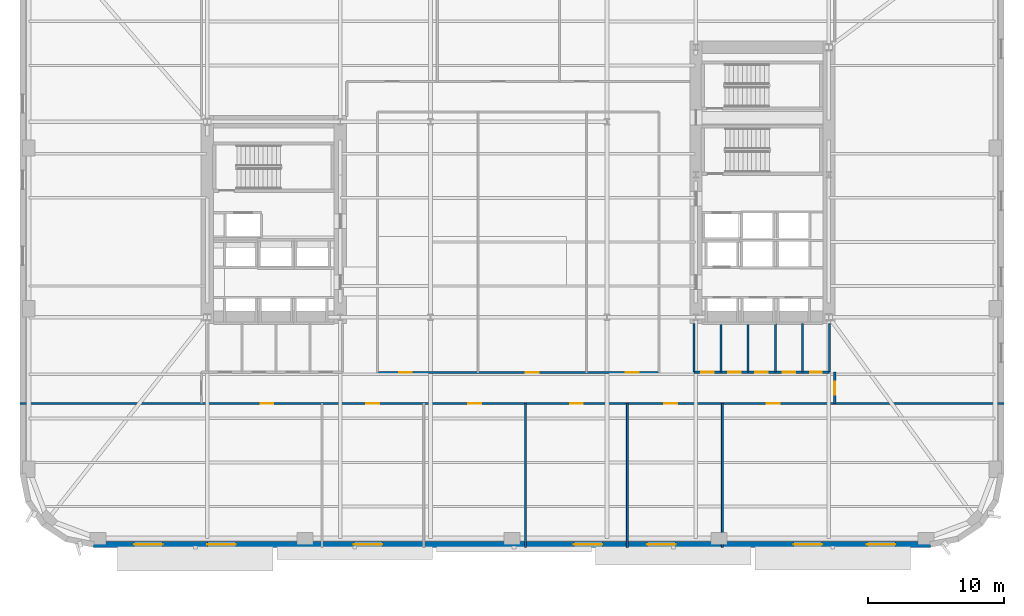
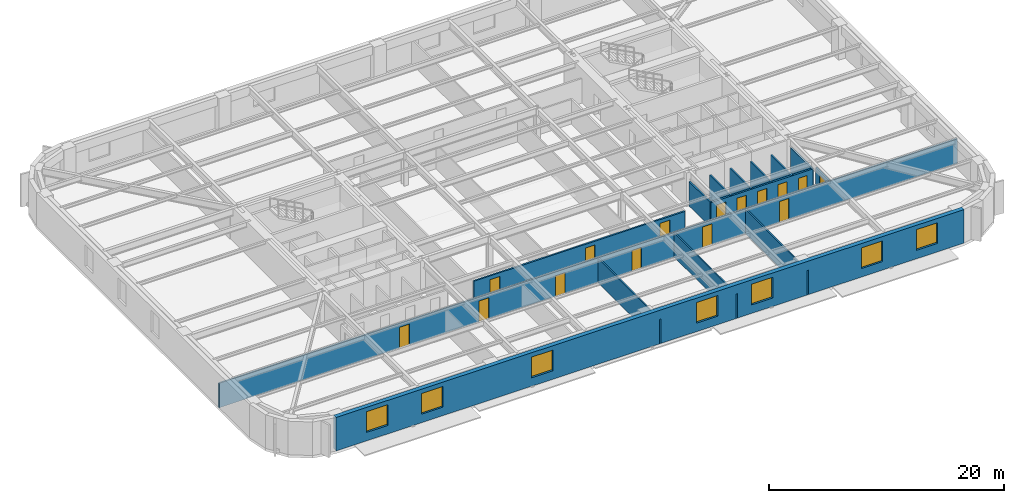
# One storey, part 5 of 15: 15 doors, 14 walls, 7 windows, 22 openings.
"""IFC4 building model written with IfcOpenShell, lengths in metres."""

from ifc_helpers import new_model, si_unit, direction, frame, frame_2d, origin, place, context, subcontext, project, spatial, rectangle, extrude, material, layer, layer_set, type_object, element, fill, save


model = new_model("IFC4")

# Units and contexts
model_context = context("Model", 3, precision=1e-05, world=origin(), true_north=direction((0.0, 1.0)))
body_context = subcontext(model_context, "Body", "Model", "MODEL_VIEW")
ifc_project = project(units=[si_unit("LENGTHUNIT", "METRE"), si_unit("AREAUNIT", "SQUARE_METRE"), si_unit("VOLUMEUNIT", "CUBIC_METRE"), si_unit("PLANEANGLEUNIT", "RADIAN"), si_unit("MASSUNIT", "GRAM", prefix="KILO")], contexts=[model_context])

# Site, building, storey
site_placement = place(None, origin())
site = spatial("IfcSite", under=ifc_project, at=site_placement, CompositionType="ELEMENT")
building_placement = place(site_placement, origin())
building = spatial("IfcBuilding", under=site, at=building_placement, Name="Kolvaren Arena Tower", CompositionType="ELEMENT")
storey_placement = place(building_placement, frame((0.0, 0.0, 72.0)))
storey = spatial("IfcBuildingStorey", under=building, at=storey_placement, Name="L15", CompositionType="ELEMENT", Elevation=72.0)

# Wall, openings, doors
ifc_material_1 = material(Name="Gypsum board acoustic assembly", Category="gypsum")
ifc_layer_1 = layer(ifc_material_1, 0.159912109375)
ifc_layer_set_1 = layer_set([ifc_layer_1], Name="Gypsum board acoustic assembly")
wall_type_1 = type_object("IfcWallType", Name="CORR-160", PredefinedType="PARTITIONING", material=ifc_layer_set_1)
wall_1_placement = place(storey_placement, frame((0.75, 13.10009765625, 0.0), z_axis=(0.0, 0.0, 1.0), x_axis=(1.0, 0.0, 0.0)))
wall_1 = element("IfcWall", 1, at=wall_1_placement, inside=storey, type_object=wall_type_1, Name="Interior Partition Wall (L15)", PredefinedType="PARTITIONING", context=body_context, shape_type="SweptSolid", body=[
    extrude(rectangle(XDim=72.5, YDim=0.159912109375, at=frame_2d((36.25, 0.0))), origin(), (0.0, 0.0, 1.0), 2.5400390625),
])
opening_1_placement = place(wall_1_placement, frame((17.72509765625, 0.0, 0.0)))
opening_1 = element("IfcOpeningElement", 2, at=opening_1_placement, cuts=wall_1, Name="Opening D05", PredefinedType="OPENING", context=body_context, shape_type="SweptSolid", body=[
    extrude(rectangle(XDim=0.949951171875, YDim=2.14990234375, at=frame_2d((0.47509765625, 1.074951171875))), frame((0.0, 0.08984375, 0.0), z_axis=(0.0, -1.0, 0.0), x_axis=(1.0, 0.0, 0.0)), (0.0, 0.0, 1.0), 0.179931640625),
])
opening_2_placement = place(wall_1_placement, frame((25.52490234375, 0.0, 0.0)))
opening_2 = element("IfcOpeningElement", 3, at=opening_2_placement, cuts=wall_1, Name="Opening D05", PredefinedType="OPENING", context=body_context, shape_type="SweptSolid", body=[
    extrude(rectangle(XDim=0.949951171875, YDim=2.14990234375, at=frame_2d((0.47509765625, 1.074951171875))), frame((0.0, 0.08984375, 0.0), z_axis=(0.0, -1.0, 0.0), x_axis=(1.0, 0.0, 0.0)), (0.0, 0.0, 1.0), 0.179931640625),
])
opening_3_placement = place(wall_1_placement, frame((33.02490234375, 0.0, 0.0)))
opening_3 = element("IfcOpeningElement", 4, at=opening_3_placement, cuts=wall_1, Name="Opening D05", PredefinedType="OPENING", context=body_context, shape_type="SweptSolid", body=[
    extrude(rectangle(XDim=0.949951171875, YDim=2.14990234375, at=frame_2d((0.47509765625, 1.074951171875))), frame((0.0, 0.08984375, 0.0), z_axis=(0.0, -1.0, 0.0), x_axis=(1.0, 0.0, 0.0)), (0.0, 0.0, 1.0), 0.179931640625),
])
opening_4_placement = place(wall_1_placement, frame((40.52490234375, 0.0, 0.0)))
opening_4 = element("IfcOpeningElement", 5, at=opening_4_placement, cuts=wall_1, Name="Opening D05", PredefinedType="OPENING", context=body_context, shape_type="SweptSolid", body=[
    extrude(rectangle(XDim=0.949951171875, YDim=2.14990234375, at=frame_2d((0.47509765625, 1.074951171875))), frame((0.0, 0.08984375, 0.0), z_axis=(0.0, -1.0, 0.0), x_axis=(1.0, 0.0, 0.0)), (0.0, 0.0, 1.0), 0.179931640625),
])
opening_5_placement = place(wall_1_placement, frame((47.47509765625, 0.0, 0.0)))
opening_5 = element("IfcOpeningElement", 6, at=opening_5_placement, cuts=wall_1, Name="Opening D05", PredefinedType="OPENING", context=body_context, shape_type="SweptSolid", body=[
    extrude(rectangle(XDim=0.949951171875, YDim=2.14990234375, at=frame_2d((0.47509765625, 1.074951171875))), frame((0.0, 0.08984375, 0.0), z_axis=(0.0, -1.0, 0.0), x_axis=(1.0, 0.0, 0.0)), (0.0, 0.0, 1.0), 0.179931640625),
])
opening_6_placement = place(wall_1_placement, frame((55.02490234375, 0.0, 0.0)))
opening_6 = element("IfcOpeningElement", 7, at=opening_6_placement, cuts=wall_1, Name="Opening D05", PredefinedType="OPENING", context=body_context, shape_type="SweptSolid", body=[
    extrude(rectangle(XDim=0.949951171875, YDim=2.14990234375, at=frame_2d((0.47509765625, 1.074951171875))), frame((0.0, 0.08984375, 0.0), z_axis=(0.0, -1.0, 0.0), x_axis=(1.0, 0.0, 0.0)), (0.0, 0.0, 1.0), 0.179931640625),
])
ifc_material_2 = material(Name="Solid-core oak acoustic office door", Category="wood")
door_type_1 = type_object("IfcDoorType", Name="DOOR-OF-095", OperationType="NOTDEFINED", PredefinedType="DOOR", material=ifc_material_2)
door_1_placement = place(opening_1_placement, origin())
door_1 = element("IfcDoor", 8, at=door_1_placement, inside=storey, type_object=door_type_1, Name="Design Studio Door (L15)", OperationType="SINGLE_SWING_LEFT", OverallHeight=2.14990234375, OverallWidth=0.949951171875, PredefinedType="DOOR", context=body_context, shape_type="SweptSolid", body=[
    extrude(rectangle(XDim=0.949951171875, YDim=2.14990234375, at=frame_2d((0.47509765625, 1.074951171875))), frame((0.0, 0.02490234375, 0.0), z_axis=(0.0, -1.0, 0.0), x_axis=(1.0, 0.0, 0.0)), (0.0, 0.0, 1.0), 0.050048828125),
])
fill(opening_1, door_1)
door_2_placement = place(opening_2_placement, origin())
door_2 = element("IfcDoor", 9, at=door_2_placement, inside=storey, type_object=door_type_1, Name="Open Plan Office Door (L15)", OperationType="SINGLE_SWING_RIGHT", OverallHeight=2.14990234375, OverallWidth=0.949951171875, PredefinedType="DOOR", context=body_context, shape_type="SweptSolid", body=[
    extrude(rectangle(XDim=0.949951171875, YDim=2.14990234375, at=frame_2d((0.47509765625, 1.074951171875))), frame((0.0, 0.02490234375, 0.0), z_axis=(0.0, -1.0, 0.0), x_axis=(1.0, 0.0, 0.0)), (0.0, 0.0, 1.0), 0.050048828125),
])
fill(opening_2, door_2)
door_3_placement = place(opening_3_placement, origin())
door_3 = element("IfcDoor", 10, at=door_3_placement, inside=storey, type_object=door_type_1, Name="Design Studio Door (L15)", OperationType="SINGLE_SWING_LEFT", OverallHeight=2.14990234375, OverallWidth=0.949951171875, PredefinedType="DOOR", context=body_context, shape_type="SweptSolid", body=[
    extrude(rectangle(XDim=0.949951171875, YDim=2.14990234375, at=frame_2d((0.47509765625, 1.074951171875))), frame((0.0, 0.02490234375, 0.0), z_axis=(0.0, -1.0, 0.0), x_axis=(1.0, 0.0, 0.0)), (0.0, 0.0, 1.0), 0.050048828125),
])
fill(opening_3, door_3)
door_4_placement = place(opening_4_placement, origin())
door_4 = element("IfcDoor", 11, at=door_4_placement, inside=storey, type_object=door_type_1, Name="Wellness Room Door (L15)", OperationType="SINGLE_SWING_RIGHT", OverallHeight=2.14990234375, OverallWidth=0.949951171875, PredefinedType="DOOR", context=body_context, shape_type="SweptSolid", body=[
    extrude(rectangle(XDim=0.949951171875, YDim=2.14990234375, at=frame_2d((0.47509765625, 1.074951171875))), frame((0.0, 0.02490234375, 0.0), z_axis=(0.0, -1.0, 0.0), x_axis=(1.0, 0.0, 0.0)), (0.0, 0.0, 1.0), 0.050048828125),
])
fill(opening_4, door_4)
door_5_placement = place(opening_5_placement, origin())
door_5 = element("IfcDoor", 12, at=door_5_placement, inside=storey, type_object=door_type_1, Name="Boardroom Door (L15)", OperationType="SINGLE_SWING_LEFT", OverallHeight=2.14990234375, OverallWidth=0.949951171875, PredefinedType="DOOR", context=body_context, shape_type="SweptSolid", body=[
    extrude(rectangle(XDim=0.949951171875, YDim=2.14990234375, at=frame_2d((0.47509765625, 1.074951171875))), frame((0.0, 0.02490234375, 0.0), z_axis=(0.0, -1.0, 0.0), x_axis=(1.0, 0.0, 0.0)), (0.0, 0.0, 1.0), 0.050048828125),
])
fill(opening_5, door_5)
door_6_placement = place(opening_6_placement, origin())
door_6 = element("IfcDoor", 13, at=door_6_placement, inside=storey, type_object=door_type_1, Name="Breakout Pantry and Kitchen Door (L15)", OperationType="SINGLE_SWING_RIGHT", OverallHeight=2.14990234375, OverallWidth=0.949951171875, PredefinedType="DOOR", context=body_context, shape_type="SweptSolid", body=[
    extrude(rectangle(XDim=0.949951171875, YDim=2.14990234375, at=frame_2d((0.47509765625, 1.074951171875))), frame((0.0, 0.02490234375, 0.0), z_axis=(0.0, -1.0, 0.0), x_axis=(1.0, 0.0, 0.0)), (0.0, 0.0, 1.0), 0.050048828125),
])
fill(opening_6, door_6)

wall_2_placement = place(storey_placement, frame((27.080078125, 15.3798828125, 0.0), z_axis=(0.0, 0.0, 1.0), x_axis=(1.0, 0.0, 0.0)))
wall_2 = element("IfcWall", 14, at=wall_2_placement, inside=storey, type_object=wall_type_1, Name="Interior Partition Wall (L15)", PredefinedType="PARTITIONING", context=body_context, shape_type="SweptSolid", body=[
    extrude(rectangle(XDim=20.739990234375, YDim=0.159912109375, at=frame_2d((10.3701171875, 0.0))), origin(), (0.0, 0.0, 1.0), 2.5400390625),
])
opening_7_placement = place(wall_2_placement, frame((1.594970703125, 0.0, 0.0)))
opening_7 = element("IfcOpeningElement", 15, at=opening_7_placement, cuts=wall_2, Name="Opening D05", PredefinedType="OPENING", context=body_context, shape_type="SweptSolid", body=[
    extrude(rectangle(XDim=0.949951171875, YDim=2.14990234375, at=frame_2d((0.47509765625, 1.074951171875))), frame((0.0, 0.08984375, 0.0), z_axis=(0.0, -1.0, 0.0), x_axis=(1.0, 0.0, 0.0)), (0.0, 0.0, 1.0), 0.179931640625),
])
opening_8_placement = place(wall_2_placement, frame((10.945068359375, 0.0, 0.0)))
opening_8 = element("IfcOpeningElement", 16, at=opening_8_placement, cuts=wall_2, Name="Opening D05", PredefinedType="OPENING", context=body_context, shape_type="SweptSolid", body=[
    extrude(rectangle(XDim=0.949951171875, YDim=2.14990234375, at=frame_2d((0.47509765625, 1.074951171875))), frame((0.0, 0.08984375, 0.0), z_axis=(0.0, -1.0, 0.0), x_axis=(1.0, 0.0, 0.0)), (0.0, 0.0, 1.0), 0.179931640625),
])
opening_9_placement = place(wall_2_placement, frame((18.294921875, 0.0, 0.0)))
opening_9 = element("IfcOpeningElement", 17, at=opening_9_placement, cuts=wall_2, Name="Opening D05", PredefinedType="OPENING", context=body_context, shape_type="SweptSolid", body=[
    extrude(rectangle(XDim=0.949951171875, YDim=2.14990234375, at=frame_2d((0.47509765625, 1.074951171875))), frame((0.0, 0.08984375, 0.0), z_axis=(0.0, -1.0, 0.0), x_axis=(1.0, 0.0, 0.0)), (0.0, 0.0, 1.0), 0.179931640625),
])
door_7_placement = place(opening_7_placement, origin())
door_7 = element("IfcDoor", 18, at=door_7_placement, inside=storey, type_object=door_type_1, Name="Wellness Room Door (L15)", OperationType="SINGLE_SWING_RIGHT", OverallHeight=2.14990234375, OverallWidth=0.949951171875, PredefinedType="DOOR", context=body_context, shape_type="SweptSolid", body=[
    extrude(rectangle(XDim=0.949951171875, YDim=2.14990234375, at=frame_2d((0.47509765625, 1.074951171875))), frame((0.0, 0.02490234375, 0.0), z_axis=(0.0, -1.0, 0.0), x_axis=(1.0, 0.0, 0.0)), (0.0, 0.0, 1.0), 0.050048828125),
])
fill(opening_7, door_7)
door_8_placement = place(opening_8_placement, origin())
door_8 = element("IfcDoor", 19, at=door_8_placement, inside=storey, type_object=door_type_1, Name="Corporate Project Office Door (L15)", OperationType="SINGLE_SWING_LEFT", OverallHeight=2.14990234375, OverallWidth=0.949951171875, PredefinedType="DOOR", context=body_context, shape_type="SweptSolid", body=[
    extrude(rectangle(XDim=0.949951171875, YDim=2.14990234375, at=frame_2d((0.47509765625, 1.074951171875))), frame((0.0, 0.02490234375, 0.0), z_axis=(0.0, -1.0, 0.0), x_axis=(1.0, 0.0, 0.0)), (0.0, 0.0, 1.0), 0.050048828125),
])
fill(opening_8, door_8)
door_9_placement = place(opening_9_placement, origin())
door_9 = element("IfcDoor", 20, at=door_9_placement, inside=storey, type_object=door_type_1, Name="Breakout Pantry and Kitchen Door (L15)", OperationType="SINGLE_SWING_RIGHT", OverallHeight=2.14990234375, OverallWidth=0.949951171875, PredefinedType="DOOR", context=body_context, shape_type="SweptSolid", body=[
    extrude(rectangle(XDim=0.949951171875, YDim=2.14990234375, at=frame_2d((0.47509765625, 1.074951171875))), frame((0.0, 0.02490234375, 0.0), z_axis=(0.0, -1.0, 0.0), x_axis=(1.0, 0.0, 0.0)), (0.0, 0.0, 1.0), 0.050048828125),
])
fill(opening_9, door_9)

# Wall, opening, door
wall_3_placement = place(storey_placement, frame((60.780029296875, 13.10009765625, 0.0), z_axis=(0.0, 0.0, 1.0), x_axis=(0.0, 1.0, 0.0)))
wall_3 = element("IfcWall", 21, at=wall_3_placement, inside=storey, type_object=wall_type_1, Name="Interior Partition Wall (L15)", PredefinedType="PARTITIONING", context=body_context, shape_type="SweptSolid", body=[
    extrude(rectangle(XDim=2.2998046875, YDim=0.159912109375, at=frame_2d((1.14990234375, 0.0))), origin(), (0.0, 0.0, 1.0), 2.5400390625),
])
opening_10_placement = place(wall_3_placement, frame((0.64990234375, 0.0, 0.0)))
opening_10 = element("IfcOpeningElement", 22, at=opening_10_placement, cuts=wall_3, Name="Opening D05", PredefinedType="OPENING", context=body_context, shape_type="SweptSolid", body=[
    extrude(rectangle(XDim=0.949951171875, YDim=2.14990234375, at=frame_2d((0.47509765625, 1.074951171875))), frame((0.0, 0.08984375, 0.0), z_axis=(0.0, -1.0, 0.0), x_axis=(1.0, 0.0, 0.0)), (0.0, 0.0, 1.0), 0.179931640625),
])
door_10_placement = place(opening_10_placement, origin())
door_10 = element("IfcDoor", 23, at=door_10_placement, inside=storey, type_object=door_type_1, Name="East Wing Studio Door (L15)", OperationType="SINGLE_SWING_RIGHT", OverallHeight=2.14990234375, OverallWidth=0.949951171875, PredefinedType="DOOR", context=body_context, shape_type="SweptSolid", body=[
    extrude(rectangle(XDim=0.949951171875, YDim=2.14990234375, at=frame_2d((0.47509765625, 1.074951171875))), frame((0.0, 0.02490234375, 0.0), z_axis=(0.0, -1.0, 0.0), x_axis=(1.0, 0.0, 0.0)), (0.0, 0.0, 1.0), 0.050048828125),
])
fill(opening_10, door_10)

# Wall, openings, windows
ifc_material_3 = material(Name="Precast concrete C50/60", Category="concrete")
ifc_layer_2 = layer(ifc_material_3, 0.419921875)
ifc_layer_set_2 = layer_set([ifc_layer_2], Name="Precast concrete C50/60")
wall_type_2 = type_object("IfcWallType", Name="EXT-PIER1", PredefinedType="SOLIDWALL", material=ifc_layer_set_2)
wall_4_placement = place(storey_placement, frame((67.85009765625, 2.7099609375, 0.0), z_axis=(0.0, 0.0, 1.0), x_axis=(-1.0, 0.0, 0.0)))
wall_4 = element("IfcWall", 24, at=wall_4_placement, inside=storey, type_object=wall_type_2, Name="Exterior Precast Masonry-Frame Wall (L15)", PredefinedType="SOLIDWALL", context=body_context, shape_type="SweptSolid", body=[
    extrude(rectangle(XDim=61.7001953125, YDim=0.419921875, at=frame_2d((30.85009765625, 0.0))), origin(), (0.0, 0.0, 1.0), 3.47998046875),
])
opening_11_placement = place(wall_4_placement, frame((2.60009765625, 0.0, 0.8798828125)))
opening_11 = element("IfcOpeningElement", 25, at=opening_11_placement, cuts=wall_4, Name="Opening W01", PredefinedType="OPENING", context=body_context, shape_type="SweptSolid", body=[
    extrude(rectangle(XDim=2.10009765625, YDim=2.14990234375, at=frame_2d((1.050048828125, 1.074951171875))), frame((0.0, 0.219970703125, 0.0), z_axis=(0.0, -1.0, 0.0), x_axis=(1.0, 0.0, 0.0)), (0.0, 0.0, 1.0), 0.43994140625),
])
opening_12_placement = place(wall_4_placement, frame((8.0, 0.0, 0.8798828125)))
opening_12 = element("IfcOpeningElement", 26, at=opening_12_placement, cuts=wall_4, Name="Opening W01", PredefinedType="OPENING", context=body_context, shape_type="SweptSolid", body=[
    extrude(rectangle(XDim=2.10009765625, YDim=2.14990234375, at=frame_2d((1.050048828125, 1.074951171875))), frame((0.0, 0.219970703125, 0.0), z_axis=(0.0, -1.0, 0.0), x_axis=(1.0, 0.0, 0.0)), (0.0, 0.0, 1.0), 0.43994140625),
])
opening_13_placement = place(wall_4_placement, frame((18.800048828125, 0.0, 0.8798828125)))
opening_13 = element("IfcOpeningElement", 27, at=opening_13_placement, cuts=wall_4, Name="Opening W01", PredefinedType="OPENING", context=body_context, shape_type="SweptSolid", body=[
    extrude(rectangle(XDim=2.10009765625, YDim=2.14990234375, at=frame_2d((1.050048828125, 1.074951171875))), frame((0.0, 0.219970703125, 0.0), z_axis=(0.0, -1.0, 0.0), x_axis=(1.0, 0.0, 0.0)), (0.0, 0.0, 1.0), 0.43994140625),
])
opening_14_placement = place(wall_4_placement, frame((24.199951171875, 0.0, 0.8798828125)))
opening_14 = element("IfcOpeningElement", 28, at=opening_14_placement, cuts=wall_4, Name="Opening W01", PredefinedType="OPENING", context=body_context, shape_type="SweptSolid", body=[
    extrude(rectangle(XDim=2.10009765625, YDim=2.14990234375, at=frame_2d((1.050048828125, 1.074951171875))), frame((0.0, 0.219970703125, 0.0), z_axis=(0.0, -1.0, 0.0), x_axis=(1.0, 0.0, 0.0)), (0.0, 0.0, 1.0), 0.43994140625),
])
opening_15_placement = place(wall_4_placement, frame((40.39990234375, 0.0, 0.8798828125)))
opening_15 = element("IfcOpeningElement", 29, at=opening_15_placement, cuts=wall_4, Name="Opening W01", PredefinedType="OPENING", context=body_context, shape_type="SweptSolid", body=[
    extrude(rectangle(XDim=2.10009765625, YDim=2.14990234375, at=frame_2d((1.050048828125, 1.074951171875))), frame((0.0, 0.219970703125, 0.0), z_axis=(0.0, -1.0, 0.0), x_axis=(1.0, 0.0, 0.0)), (0.0, 0.0, 1.0), 0.43994140625),
])
opening_16_placement = place(wall_4_placement, frame((51.199951171875, 0.0, 0.8798828125)))
opening_16 = element("IfcOpeningElement", 30, at=opening_16_placement, cuts=wall_4, Name="Opening W01", PredefinedType="OPENING", context=body_context, shape_type="SweptSolid", body=[
    extrude(rectangle(XDim=2.10009765625, YDim=2.14990234375, at=frame_2d((1.050048828125, 1.074951171875))), frame((0.0, 0.219970703125, 0.0), z_axis=(0.0, -1.0, 0.0), x_axis=(1.0, 0.0, 0.0)), (0.0, 0.0, 1.0), 0.43994140625),
])
opening_17_placement = place(wall_4_placement, frame((56.60009765625, 0.0, 0.8798828125)))
opening_17 = element("IfcOpeningElement", 31, at=opening_17_placement, cuts=wall_4, Name="Opening W01", PredefinedType="OPENING", context=body_context, shape_type="SweptSolid", body=[
    extrude(rectangle(XDim=2.10009765625, YDim=2.14990234375, at=frame_2d((1.050048828125, 1.074951171875))), frame((0.0, 0.219970703125, 0.0), z_axis=(0.0, -1.0, 0.0), x_axis=(1.0, 0.0, 0.0)), (0.0, 0.0, 1.0), 0.43994140625),
])
ifc_material_4 = material(Name="Triple-glazed low-E aluminium window", Category="aluminium")
window_type = type_object("IfcWindowType", Name="WIN-OFF-A", PartitioningType="DOUBLE_PANEL_VERTICAL", PredefinedType="WINDOW", material=ifc_material_4)
window_1_placement = place(opening_11_placement, origin())
window_1 = element("IfcWindow", 32, at=window_1_placement, inside=storey, type_object=window_type, Name="Punched Precast-Pier Window (L15)", OverallHeight=2.14990234375, OverallWidth=2.10009765625, PartitioningType="DOUBLE_PANEL_VERTICAL", PredefinedType="WINDOW", context=body_context, shape_type="SweptSolid", body=[
    extrude(rectangle(XDim=2.10009765625, YDim=2.14990234375, at=frame_2d((1.050048828125, 1.074951171875))), frame((0.0, 0.030029296875, 0.0), z_axis=(0.0, -1.0, 0.0), x_axis=(1.0, 0.0, 0.0)), (0.0, 0.0, 1.0), 0.06005859375),
])
fill(opening_11, window_1)
window_2_placement = place(opening_12_placement, origin())
window_2 = element("IfcWindow", 33, at=window_2_placement, inside=storey, type_object=window_type, Name="Punched Precast-Pier Window (L15)", OverallHeight=2.14990234375, OverallWidth=2.10009765625, PartitioningType="DOUBLE_PANEL_VERTICAL", PredefinedType="WINDOW", context=body_context, shape_type="SweptSolid", body=[
    extrude(rectangle(XDim=2.10009765625, YDim=2.14990234375, at=frame_2d((1.050048828125, 1.074951171875))), frame((0.0, 0.030029296875, 0.0), z_axis=(0.0, -1.0, 0.0), x_axis=(1.0, 0.0, 0.0)), (0.0, 0.0, 1.0), 0.06005859375),
])
fill(opening_12, window_2)
window_3_placement = place(opening_13_placement, origin())
window_3 = element("IfcWindow", 34, at=window_3_placement, inside=storey, type_object=window_type, Name="Punched Precast-Pier Window (L15)", OverallHeight=2.14990234375, OverallWidth=2.10009765625, PartitioningType="DOUBLE_PANEL_VERTICAL", PredefinedType="WINDOW", context=body_context, shape_type="SweptSolid", body=[
    extrude(rectangle(XDim=2.10009765625, YDim=2.14990234375, at=frame_2d((1.050048828125, 1.074951171875))), frame((0.0, 0.030029296875, 0.0), z_axis=(0.0, -1.0, 0.0), x_axis=(1.0, 0.0, 0.0)), (0.0, 0.0, 1.0), 0.06005859375),
])
fill(opening_13, window_3)
window_4_placement = place(opening_14_placement, origin())
window_4 = element("IfcWindow", 35, at=window_4_placement, inside=storey, type_object=window_type, Name="Punched Precast-Pier Window (L15)", OverallHeight=2.14990234375, OverallWidth=2.10009765625, PartitioningType="DOUBLE_PANEL_VERTICAL", PredefinedType="WINDOW", context=body_context, shape_type="SweptSolid", body=[
    extrude(rectangle(XDim=2.10009765625, YDim=2.14990234375, at=frame_2d((1.050048828125, 1.074951171875))), frame((0.0, 0.030029296875, 0.0), z_axis=(0.0, -1.0, 0.0), x_axis=(1.0, 0.0, 0.0)), (0.0, 0.0, 1.0), 0.06005859375),
])
fill(opening_14, window_4)
window_5_placement = place(opening_15_placement, origin())
window_5 = element("IfcWindow", 36, at=window_5_placement, inside=storey, type_object=window_type, Name="Punched Precast-Pier Window (L15)", OverallHeight=2.14990234375, OverallWidth=2.10009765625, PartitioningType="DOUBLE_PANEL_VERTICAL", PredefinedType="WINDOW", context=body_context, shape_type="SweptSolid", body=[
    extrude(rectangle(XDim=2.10009765625, YDim=2.14990234375, at=frame_2d((1.050048828125, 1.074951171875))), frame((0.0, 0.030029296875, 0.0), z_axis=(0.0, -1.0, 0.0), x_axis=(1.0, 0.0, 0.0)), (0.0, 0.0, 1.0), 0.06005859375),
])
fill(opening_15, window_5)
window_6_placement = place(opening_16_placement, origin())
window_6 = element("IfcWindow", 37, at=window_6_placement, inside=storey, type_object=window_type, Name="Punched Precast-Pier Window (L15)", OverallHeight=2.14990234375, OverallWidth=2.10009765625, PartitioningType="DOUBLE_PANEL_VERTICAL", PredefinedType="WINDOW", context=body_context, shape_type="SweptSolid", body=[
    extrude(rectangle(XDim=2.10009765625, YDim=2.14990234375, at=frame_2d((1.050048828125, 1.074951171875))), frame((0.0, 0.030029296875, 0.0), z_axis=(0.0, -1.0, 0.0), x_axis=(1.0, 0.0, 0.0)), (0.0, 0.0, 1.0), 0.06005859375),
])
fill(opening_16, window_6)
window_7_placement = place(opening_17_placement, origin())
window_7 = element("IfcWindow", 38, at=window_7_placement, inside=storey, type_object=window_type, Name="Punched Precast-Pier Window (L15)", OverallHeight=2.14990234375, OverallWidth=2.10009765625, PartitioningType="DOUBLE_PANEL_VERTICAL", PredefinedType="WINDOW", context=body_context, shape_type="SweptSolid", body=[
    extrude(rectangle(XDim=2.10009765625, YDim=2.14990234375, at=frame_2d((1.050048828125, 1.074951171875))), frame((0.0, 0.030029296875, 0.0), z_axis=(0.0, -1.0, 0.0), x_axis=(1.0, 0.0, 0.0)), (0.0, 0.0, 1.0), 0.06005859375),
])
fill(opening_17, window_7)

# Walls
ifc_material_5 = material(Name="Gypsum board partition assembly", Category="gypsum")
ifc_layer_3 = layer(ifc_material_5, 0.135009765625)
ifc_layer_set_3 = layer_set([ifc_layer_3], Name="Gypsum board partition assembly")
wall_type_3 = type_object("IfcWallType", Name="PART-135", PredefinedType="PARTITIONING", material=ifc_layer_set_3)
for number, where, z_axis, x_axis, name in (
    (39, (38.0, 2.5, 0.0), (0.0, 0.0, 1.0), (0.0, 1.0, 0.0), "Interior Partition Wall (L15)"),
    (40, (45.5, 2.5, 0.0), (0.0, 0.0, 1.0), (0.0, 1.0, 0.0), "Interior Partition Wall (L15)"),
    (41, (52.5, 2.5, 0.0), (0.0, 0.0, 1.0), (0.0, 1.0, 0.0), "Interior Partition Wall (L15)"),
):
    element("IfcWall", number, at=place(storey_placement, frame(where, z_axis=z_axis, x_axis=x_axis)), inside=storey, type_object=wall_type_3, Name=name, PredefinedType="PARTITIONING", context=body_context, shape_type="SweptSolid", body=[
        extrude(rectangle(XDim=10.60009765625, YDim=0.135009765625, at=frame_2d((5.300048828125, 0.0))), origin(), (0.0, 0.0, 1.0), 2.5400390625),
    ])

# Wall, openings, doors
ifc_material_6 = material(Name="Concrete 45 MPa", Category="concrete")
ifc_layer_4 = layer(ifc_material_6, 0.25)
ifc_layer_set_4 = layer_set([ifc_layer_4], Name="Concrete 45 MPa")
wall_type_4 = type_object("IfcWallType", Name="SHAFT-250", PredefinedType="SOLIDWALL", material=ifc_layer_set_4)
wall_5_placement = place(storey_placement, frame((50.39990234375, 15.39990234375, 0.0), z_axis=(0.0, 0.0, 1.0), x_axis=(1.0, 0.0, 0.0)))
wall_5 = element("IfcWall", 42, at=wall_5_placement, inside=storey, type_object=wall_type_4, Name="Interior Partition Wall (L15)", PredefinedType="SOLIDWALL", context=body_context, shape_type="SweptSolid", body=[
    extrude(rectangle(XDim=10.0, YDim=0.179931640625, at=frame_2d((5.0, 0.0))), origin(), (0.0, 0.0, 1.0), 2.5400390625),
])
opening_18_placement = place(wall_5_placement, frame((0.5400390625, 0.0, 0.0)))
opening_18 = element("IfcOpeningElement", 43, at=opening_18_placement, cuts=wall_5, Name="Opening D07", PredefinedType="OPENING", context=body_context, shape_type="SweptSolid", body=[
    extrude(rectangle(XDim=0.919921875, YDim=2.10009765625, at=frame_2d((0.4599609375, 1.050048828125))), frame((0.0, 0.099853515625, 0.0), z_axis=(0.0, -1.0, 0.0), x_axis=(1.0, 0.0, 0.0)), (0.0, 0.0, 1.0), 0.199951171875),
])
opening_19_placement = place(wall_5_placement, frame((2.5400390625, 0.0, 0.0)))
opening_19 = element("IfcOpeningElement", 44, at=opening_19_placement, cuts=wall_5, Name="Opening D07", PredefinedType="OPENING", context=body_context, shape_type="SweptSolid", body=[
    extrude(rectangle(XDim=0.919921875, YDim=2.10009765625, at=frame_2d((0.4599609375, 1.050048828125))), frame((0.0, 0.099853515625, 0.0), z_axis=(0.0, -1.0, 0.0), x_axis=(1.0, 0.0, 0.0)), (0.0, 0.0, 1.0), 0.199951171875),
])
opening_20_placement = place(wall_5_placement, frame((4.5400390625, 0.0, 0.0)))
opening_20 = element("IfcOpeningElement", 45, at=opening_20_placement, cuts=wall_5, Name="Opening D07", PredefinedType="OPENING", context=body_context, shape_type="SweptSolid", body=[
    extrude(rectangle(XDim=0.919921875, YDim=2.10009765625, at=frame_2d((0.4599609375, 1.050048828125))), frame((0.0, 0.099853515625, 0.0), z_axis=(0.0, -1.0, 0.0), x_axis=(1.0, 0.0, 0.0)), (0.0, 0.0, 1.0), 0.199951171875),
])
opening_21_placement = place(wall_5_placement, frame((6.5400390625, 0.0, 0.0)))
opening_21 = element("IfcOpeningElement", 46, at=opening_21_placement, cuts=wall_5, Name="Opening D07", PredefinedType="OPENING", context=body_context, shape_type="SweptSolid", body=[
    extrude(rectangle(XDim=0.919921875, YDim=2.10009765625, at=frame_2d((0.4599609375, 1.050048828125))), frame((0.0, 0.099853515625, 0.0), z_axis=(0.0, -1.0, 0.0), x_axis=(1.0, 0.0, 0.0)), (0.0, 0.0, 1.0), 0.199951171875),
])
opening_22_placement = place(wall_5_placement, frame((8.570068359375, 0.0, 0.0)))
opening_22 = element("IfcOpeningElement", 47, at=opening_22_placement, cuts=wall_5, Name="Opening D09", PredefinedType="OPENING", context=body_context, shape_type="SweptSolid", body=[
    extrude(rectangle(XDim=0.860107421875, YDim=2.050048828125, at=frame_2d((0.43017578125, 1.02490234375))), frame((0.0, 0.099853515625, 0.0), z_axis=(0.0, -1.0, 0.0), x_axis=(1.0, 0.0, 0.0)), (0.0, 0.0, 1.0), 0.199951171875),
])
ifc_material_7 = material(Name="Fire-rated steel riser access door", Category="steel")
door_type_2 = type_object("IfcDoorType", Name="DOOR-RS-086", OperationType="NOTDEFINED", PredefinedType="DOOR", material=ifc_material_7)
door_11_placement = place(opening_22_placement, origin())
door_11 = element("IfcDoor", 48, at=door_11_placement, inside=storey, type_object=door_type_2, Name="Telecom Riser Closet Door (L15)", OperationType="SINGLE_SWING_LEFT", OverallHeight=2.050048828125, OverallWidth=0.860107421875, PredefinedType="DOOR", context=body_context, shape_type="SweptSolid", body=[
    extrude(rectangle(XDim=0.860107421875, YDim=2.050048828125, at=frame_2d((0.43017578125, 1.02490234375))), frame((0.0, 0.02490234375, 0.0), z_axis=(0.0, -1.0, 0.0), x_axis=(1.0, 0.0, 0.0)), (0.0, 0.0, 1.0), 0.050048828125),
])
fill(opening_22, door_11)
ifc_material_8 = material(Name="Laminate universal washroom door", Category="wood")
door_type_3 = type_object("IfcDoorType", Name="DOOR-WC-092", OperationType="NOTDEFINED", PredefinedType="DOOR", material=ifc_material_8)
door_12_placement = place(opening_18_placement, origin())
door_12 = element("IfcDoor", 49, at=door_12_placement, inside=storey, type_object=door_type_3, Name="First Aid Store Door (L15)", OperationType="SINGLE_SWING_LEFT", OverallHeight=2.10009765625, OverallWidth=0.919921875, PredefinedType="DOOR", context=body_context, shape_type="SweptSolid", body=[
    extrude(rectangle(XDim=0.919921875, YDim=2.10009765625, at=frame_2d((0.4599609375, 1.050048828125))), frame((0.0, 0.02490234375, 0.0), z_axis=(0.0, -1.0, 0.0), x_axis=(1.0, 0.0, 0.0)), (0.0, 0.0, 1.0), 0.050048828125),
])
fill(opening_18, door_12)
door_13_placement = place(opening_19_placement, origin())
door_13 = element("IfcDoor", 50, at=door_13_placement, inside=storey, type_object=door_type_3, Name="Cleaner and Janitor Store Door (L15)", OperationType="SINGLE_SWING_RIGHT", OverallHeight=2.10009765625, OverallWidth=0.919921875, PredefinedType="DOOR", context=body_context, shape_type="SweptSolid", body=[
    extrude(rectangle(XDim=0.919921875, YDim=2.10009765625, at=frame_2d((0.4599609375, 1.050048828125))), frame((0.0, 0.02490234375, 0.0), z_axis=(0.0, -1.0, 0.0), x_axis=(1.0, 0.0, 0.0)), (0.0, 0.0, 1.0), 0.050048828125),
])
fill(opening_19, door_13)
door_14_placement = place(opening_20_placement, origin())
door_14 = element("IfcDoor", 51, at=door_14_placement, inside=storey, type_object=door_type_3, Name="Staff Pantry Door (L15)", OperationType="SINGLE_SWING_LEFT", OverallHeight=2.10009765625, OverallWidth=0.919921875, PredefinedType="DOOR", context=body_context, shape_type="SweptSolid", body=[
    extrude(rectangle(XDim=0.919921875, YDim=2.10009765625, at=frame_2d((0.4599609375, 1.050048828125))), frame((0.0, 0.02490234375, 0.0), z_axis=(0.0, -1.0, 0.0), x_axis=(1.0, 0.0, 0.0)), (0.0, 0.0, 1.0), 0.050048828125),
])
fill(opening_20, door_14)
door_15_placement = place(opening_21_placement, origin())
door_15 = element("IfcDoor", 52, at=door_15_placement, inside=storey, type_object=door_type_3, Name="Gender-Neutral Washroom Door (L15)", OperationType="SINGLE_SWING_RIGHT", OverallHeight=2.10009765625, OverallWidth=0.919921875, PredefinedType="DOOR", context=body_context, shape_type="SweptSolid", body=[
    extrude(rectangle(XDim=0.919921875, YDim=2.10009765625, at=frame_2d((0.4599609375, 1.050048828125))), frame((0.0, 0.02490234375, 0.0), z_axis=(0.0, -1.0, 0.0), x_axis=(1.0, 0.0, 0.0)), (0.0, 0.0, 1.0), 0.050048828125),
])
fill(opening_21, door_15)

# Walls
ifc_material_9 = material(Name="Moisture-resistant gypsum assembly", Category="gypsum")
ifc_layer_5 = layer(ifc_material_9, 0.14990234375)
ifc_layer_set_5 = layer_set([ifc_layer_5], Name="Moisture-resistant gypsum assembly")
wall_type_5 = type_object("IfcWallType", Name="WETW-150", PredefinedType="PARTITIONING", material=ifc_layer_set_5)
for number, where, z_axis, x_axis, name in (
    (53, (52.39990234375, 15.39990234375, 0.0), (0.0, 0.0, 1.0), (0.0, 1.0, 0.0), "Interior Partition Wall (L15)"),
    (54, (54.39990234375, 15.39990234375, 0.0), (0.0, 0.0, 1.0), (0.0, 1.0, 0.0), "Interior Partition Wall (L15)"),
    (55, (56.39990234375, 15.39990234375, 0.0), (0.0, 0.0, 1.0), (0.0, 1.0, 0.0), "Interior Partition Wall (L15)"),
    (56, (58.39990234375, 15.39990234375, 0.0), (0.0, 0.0, 1.0), (0.0, 1.0, 0.0), "Interior Partition Wall (L15)"),
    (57, (50.39990234375, 15.39990234375, 0.0), (0.0, 0.0, 1.0), (0.0, 1.0, 0.0), "Interior Partition Wall (L15)"),
    (58, (60.39990234375, 15.39990234375, 0.0), (0.0, 0.0, 1.0), (0.0, 1.0, 0.0), "Interior Partition Wall (L15)"),
):
    element("IfcWall", number, at=place(storey_placement, frame(where, z_axis=z_axis, x_axis=x_axis)), inside=storey, type_object=wall_type_5, Name=name, PredefinedType="PARTITIONING", context=body_context, shape_type="SweptSolid", body=[
        extrude(rectangle(XDim=3.580078125, YDim=0.14990234375, at=frame_2d((1.7900390625, 0.0))), origin(), (0.0, 0.0, 1.0), 2.5400390625),
    ])

save(model, "model.ifc")
